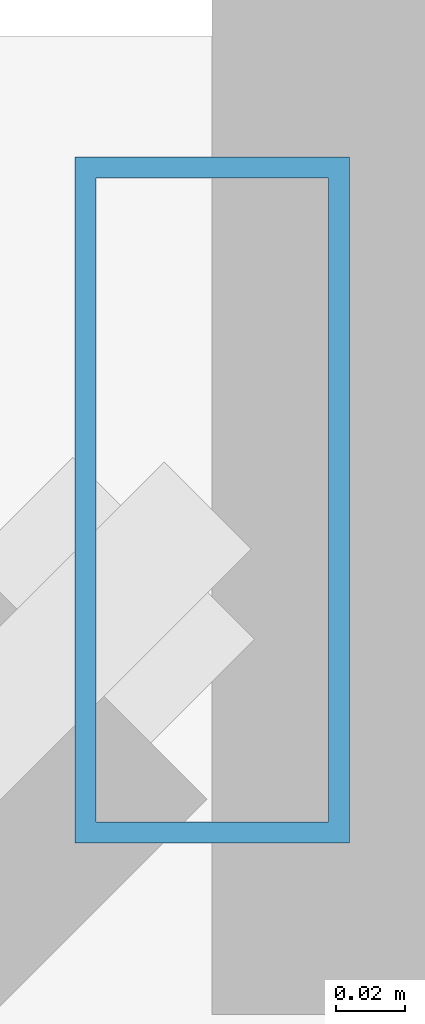
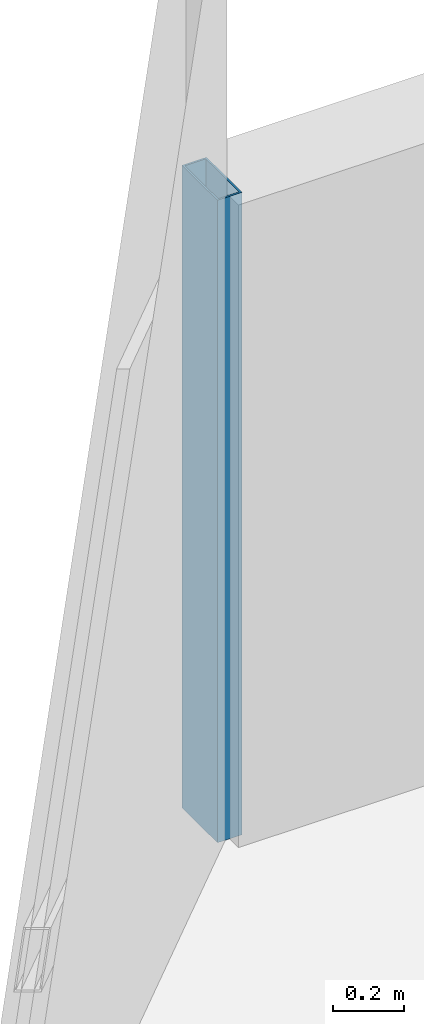
# One storey, part 16 of 36: 1 member, 1 element without a shape of its own.
"""IFC4 building model written with IfcOpenShell, lengths in metres."""

from ifc_helpers import new_model, si_unit, direction, frame, origin, origin_2d, place, context, subcontext, project, spatial, hollow_rectangle, extrude, material, material_profile, profile_set, type_object, element, aggregate, save


model = new_model("IFC4")

# Units and contexts
model_context = context("Model", 3, precision=1e-05, world=origin(), true_north=direction((0.0, 1.0)))
body_context = subcontext(model_context, "Body", "Model", "MODEL_VIEW")
ifc_project = project(units=[si_unit("LENGTHUNIT", "METRE"), si_unit("AREAUNIT", "SQUARE_METRE"), si_unit("VOLUMEUNIT", "CUBIC_METRE"), si_unit("PLANEANGLEUNIT", "RADIAN"), si_unit("MASSUNIT", "GRAM", prefix="KILO")], contexts=[model_context])

# Site, building, storey
site_placement = place(None, origin())
site = spatial("IfcSite", under=ifc_project, at=site_placement, CompositionType="ELEMENT")
building_placement = place(site_placement, origin())
building = spatial("IfcBuilding", under=site, at=building_placement, Name="Thornwick Lancets Civic Towers", CompositionType="ELEMENT")
storey_placement = place(building_placement, frame((0.0, 0.0, 170.699951171875)))
storey = spatial("IfcBuildingStorey", under=building, at=storey_placement, Name="L45", CompositionType="ELEMENT", Elevation=170.699951171875)

# Curtain wall, member
ifc_material_1 = material(Name="Mid-zone chamfered-corner unitised glass curtain wall", Category="glass")
curtain_wall_type = type_object("IfcCurtainWallType", Name="CW_SYS_04", PredefinedType="NOTDEFINED", material=ifc_material_1)
curtain_wall_placement = place(storey_placement, origin())
curtain_wall = element("IfcCurtainWall", 1, at=curtain_wall_placement, inside=storey, type_object=curtain_wall_type, Name="L45 Curtain Wall CW-L45-B-E5", PredefinedType="NOTDEFINED")
ifc_material_2 = material(Name="Thermally broken bronze aluminium S355", Category="steel")
ifc_material_profile = material_profile(ifc_material_2, hollow_rectangle(XDim=0.080078125, YDim=0.199951171875, WallThickness=0.006103515625, at=origin_2d()), Name="RHS 200x80x6")
ifc_profile_set = profile_set([ifc_material_profile], Name="Thermally broken bronze aluminium S355")
member_type = type_object("IfcMemberType", Name="CW_MUL_200", PredefinedType="MULLION", material=ifc_profile_set)
member_placement = place(storey_placement, frame((73.318603515625, 50.7646484375, 0.0), z_axis=(0.0, 0.0, 1.0), x_axis=(1.0, 0.0, 0.0)))
member = element("IfcMember", 2, at=member_placement, type_object=member_type, Name="CW-L45-B-E5 Mullion 0", PredefinedType="MULLION", context=body_context, shape_type="SweptSolid", body=[
    extrude(hollow_rectangle(XDim=0.080078125, YDim=0.199951171875, WallThickness=0.006103515625, at=origin_2d()), origin(), (0.0, 0.0, 1.0), 2.219970703125),
])
aggregate(curtain_wall, [member])

save(model, "model.ifc")
